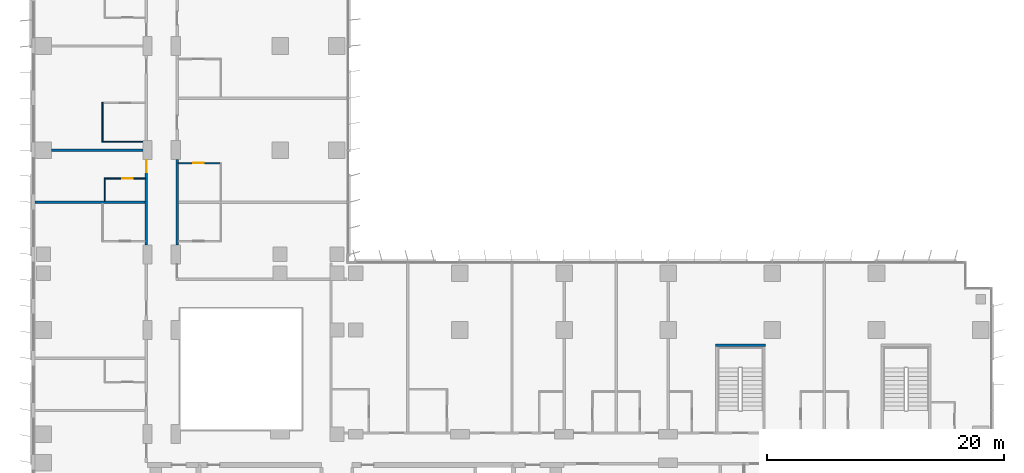
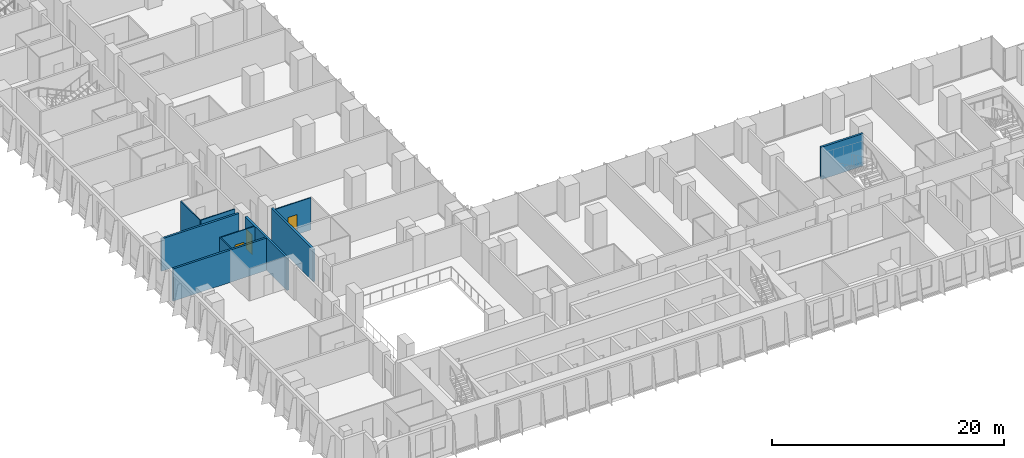
# One storey, part 15 of 24: 10 walls, 3 doors, 3 openings.
"""IFC4 building model written with IfcOpenShell, lengths in metres."""

from ifc_helpers import new_model, si_unit, direction, frame, frame_2d, origin, place, context, subcontext, project, spatial, rectangle, extrude, material, layer, layer_set, type_object, element, fill, save


model = new_model("IFC4")

# Units and contexts
model_context = context("Model", 3, precision=1e-05, world=origin(), true_north=direction((0.0, 1.0)))
body_context = subcontext(model_context, "Body", "Model", "MODEL_VIEW")
ifc_project = project(units=[si_unit("LENGTHUNIT", "METRE"), si_unit("AREAUNIT", "SQUARE_METRE"), si_unit("VOLUMEUNIT", "CUBIC_METRE"), si_unit("PLANEANGLEUNIT", "RADIAN"), si_unit("MASSUNIT", "GRAM", prefix="KILO")], contexts=[model_context])

# Site, building, storey
site_placement = place(None, origin())
site = spatial("IfcSite", under=ifc_project, at=site_placement, CompositionType="ELEMENT")
building_placement = place(site_placement, origin())
building = spatial("IfcBuilding", under=site, at=building_placement, Name="Kemantara Hotel Tower", CompositionType="ELEMENT")
storey_placement = place(building_placement, frame((0.0, 0.0, 52.5)))
storey = spatial("IfcBuildingStorey", under=building, at=storey_placement, Name="L11", CompositionType="ELEMENT", Elevation=52.5)

# Wall, opening, door
ifc_material_1 = material(Name="Gypsum board partition, steel studs and mineral wool, 200 mm", Category="steel")
ifc_layer_1 = layer(ifc_material_1, 0.199951171875)
ifc_layer_set_1 = layer_set([ifc_layer_1], Name="Gypsum board partition, steel studs and mineral wool, 200 mm")
wall_type_1 = type_object("IfcWallType", Name="CORRIDOR WALL 200", PredefinedType="PARTITIONING", material=ifc_layer_set_1)
wall_1_placement = place(storey_placement, frame((9.699951171875, 28.2001953125, 0.0), z_axis=(0.0, 0.0, 1.0), x_axis=(0.0, 1.0, 0.0)))
wall_1 = element("IfcWall", 1, at=wall_1_placement, inside=storey, type_object=wall_type_1, Name="CORRIDOR WALL 200 030", PredefinedType="PARTITIONING", context=body_context, shape_type="SweptSolid", body=[
    extrude(rectangle(XDim=7.19970703125, YDim=0.199951171875, at=frame_2d((3.599853515625, 0.0))), origin(), (0.0, 0.0, 1.0), 3.39990234375),
])
opening_1_placement = place(wall_1_placement, frame((6.14990234375, 0.0, 0.0)))
opening_1 = element("IfcOpeningElement", 2, at=opening_1_placement, cuts=wall_1, Name="Opening F03-038", PredefinedType="OPENING", context=body_context, shape_type="SweptSolid", body=[
    extrude(rectangle(XDim=1.0, YDim=2.10009765625, at=frame_2d((0.5, 1.050048828125))), frame((0.0, 0.10986328125, 0.0), z_axis=(0.0, -1.0, 0.0), x_axis=(1.0, 0.0, 0.0)), (0.0, 0.0, 1.0), 0.219970703125),
])
ifc_material_2 = material(Name="Hardwood veneer door leaf with steel frame", Category="steel")
door_type_1 = type_object("IfcDoorType", Name="GUEST ROOM DOOR 1000 X 2100 FD30S", OperationType="NOTDEFINED", PredefinedType="DOOR", material=ifc_material_2)
door_1_placement = place(opening_1_placement, origin())
door_1 = element("IfcDoor", 3, at=door_1_placement, inside=storey, type_object=door_type_1, Name="GUEST ROOM DOOR F03-038", OperationType="SINGLE_SWING_RIGHT", OverallHeight=2.10009765625, OverallWidth=1.0, PredefinedType="DOOR", context=body_context, shape_type="SweptSolid", body=[
    extrude(rectangle(XDim=1.0, YDim=2.10009765625, at=frame_2d((0.5, 1.050048828125))), frame((0.0, 0.02490234375, 0.0), z_axis=(0.0, -1.0, 0.0), x_axis=(1.0, 0.0, 0.0)), (0.0, 0.0, 1.0), 0.050048828125),
])
fill(opening_1, door_1)

# Walls
wall_2_placement = place(storey_placement, frame((12.300048828125, 28.2001953125, 0.0), z_axis=(0.0, 0.0, 1.0), x_axis=(0.0, 1.0, 0.0)))
element("IfcWall", 4, at=wall_2_placement, inside=storey, type_object=wall_type_1, Name="CORRIDOR WALL 200 047", PredefinedType="PARTITIONING", context=body_context, shape_type="SweptSolid", body=[
    extrude(rectangle(XDim=7.19970703125, YDim=0.199951171875, at=frame_2d((3.599853515625, 0.0))), origin(), (0.0, 0.0, 1.0), 3.39990234375),
])
ifc_material_3 = material(Name="Concrete fc 40 MPa", Category="concrete")
ifc_layer_2 = layer(ifc_material_3, 0.199951171875)
ifc_layer_set_2 = layer_set([ifc_layer_2], Name="Concrete fc 40 MPa")
wall_type_2 = type_object("IfcWallType", Name="Concrete stair wall 200 mm", PredefinedType="SHEAR", material=ifc_layer_set_2)
wall_3_placement = place(storey_placement, frame((57.800048828125, 19.699951171875, 0.0), z_axis=(0.0, 0.0, 1.0), x_axis=(1.0, 0.0, 0.0)))
element("IfcWall", 5, at=wall_3_placement, inside=storey, type_object=wall_type_2, Name="Stair ST3 enclosure wall N", PredefinedType="SHEAR", context=body_context, shape_type="SweptSolid", body=[
    extrude(rectangle(XDim=4.199951171875, YDim=0.199951171875, at=frame_2d((2.10009765625, 0.0))), origin(), (0.0, 0.0, 1.0), 3.39990234375),
])
ifc_layer_3 = layer(ifc_material_1, 0.199951171875)
ifc_layer_set_3 = layer_set([ifc_layer_3], Name="Gypsum board partition, steel studs and mineral wool, 200 mm")
wall_type_3 = type_object("IfcWallType", Name="GUEST ROOM PARTY WALL 200", PredefinedType="PARTITIONING", material=ifc_layer_set_3)
wall_4_placement = place(storey_placement, frame((0.31005859375, 31.800048828125, 0.0), z_axis=(0.0, 0.0, 1.0), x_axis=(1.0, 0.0, 0.0)))
element("IfcWall", 6, at=wall_4_placement, inside=storey, type_object=wall_type_3, Name="GUEST ROOM PARTY WALL 200 038", PredefinedType="PARTITIONING", context=body_context, shape_type="SweptSolid", body=[
    extrude(rectangle(XDim=9.2900390625, YDim=0.199951171875, at=frame_2d((4.64501953125, 0.0))), origin(), (0.0, 0.0, 1.0), 3.39990234375),
])
wall_5_placement = place(storey_placement, frame((1.7001953125, 36.199951171875, 0.0), z_axis=(0.0, 0.0, 1.0), x_axis=(1.0, 0.0, 0.0)))
element("IfcWall", 7, at=wall_5_placement, inside=storey, type_object=wall_type_3, Name="GUEST ROOM PARTY WALL 200 040", PredefinedType="PARTITIONING", context=body_context, shape_type="SweptSolid", body=[
    extrude(rectangle(XDim=7.69970703125, YDim=0.199951171875, at=frame_2d((3.849853515625, 0.0))), origin(), (0.0, 0.0, 1.0), 3.39990234375),
])
ifc_material_4 = material(Name="Gypsum board partition on steel studs, 100 mm", Category="steel")
ifc_layer_4 = layer(ifc_material_4, 0.10009765625)
ifc_layer_set_4 = layer_set([ifc_layer_4], Name="Gypsum board partition on steel studs, 100 mm")
wall_type_4 = type_object("IfcWallType", Name="ROOM PARTITION 100", PredefinedType="PARTITIONING", material=ifc_layer_set_4)
wall_6_placement = place(storey_placement, frame((6.199951171875, 31.89990234375, 0.0), z_axis=(0.0, 0.0, 1.0), x_axis=(0.0, 1.0, 0.0)))
element("IfcWall", 8, at=wall_6_placement, inside=storey, type_object=wall_type_4, Name="ROOM PARTITION 100 097", PredefinedType="PARTITIONING", context=body_context, shape_type="SweptSolid", body=[
    extrude(rectangle(XDim=1.9501953125, YDim=0.10009765625, at=frame_2d((0.97509765625, 0.0))), origin(), (0.0, 0.0, 1.0), 3.39990234375),
])
wall_7_placement = place(storey_placement, frame((6.0, 36.85009765625, 0.0), z_axis=(0.0, 0.0, 1.0), x_axis=(0.0, 1.0, 0.0)))
element("IfcWall", 9, at=wall_7_placement, inside=storey, type_object=wall_type_4, Name="ROOM PARTITION 100 105", PredefinedType="PARTITIONING", context=body_context, shape_type="SweptSolid", body=[
    extrude(rectangle(XDim=3.39990234375, YDim=0.10009765625, at=frame_2d((1.699951171875, 0.0))), origin(), (0.0, 0.0, 1.0), 3.39990234375),
])

# Wall, opening, door
wall_8_placement = place(storey_placement, frame((9.60009765625, 33.800048828125, 0.0), z_axis=(0.0, 0.0, 1.0), x_axis=(-1.0, 0.0, 0.0)))
wall_8 = element("IfcWall", 10, at=wall_8_placement, inside=storey, type_object=wall_type_4, Name="ROOM PARTITION 100 108", PredefinedType="PARTITIONING", context=body_context, shape_type="SweptSolid", body=[
    extrude(rectangle(XDim=3.35009765625, YDim=0.10009765625, at=frame_2d((1.675048828125, 0.0))), origin(), (0.0, 0.0, 1.0), 3.39990234375),
])
opening_2_placement = place(wall_8_placement, frame((1.050048828125, 0.0, 0.0)))
opening_2 = element("IfcOpeningElement", 11, at=opening_2_placement, cuts=wall_8, Name="Opening F03-039", PredefinedType="OPENING", context=body_context, shape_type="SweptSolid", body=[
    extrude(rectangle(XDim=0.89990234375, YDim=2.10009765625, at=frame_2d((0.449951171875, 1.050048828125))), frame((0.0, 0.06005859375, 0.0), z_axis=(0.0, -1.0, 0.0), x_axis=(1.0, 0.0, 0.0)), (0.0, 0.0, 1.0), 0.1201171875),
])
door_type_2 = type_object("IfcDoorType", Name="BATHROOM DOOR 900 X 2100", OperationType="NOTDEFINED", PredefinedType="DOOR", material=ifc_material_2)
door_2_placement = place(opening_2_placement, origin())
door_2 = element("IfcDoor", 12, at=door_2_placement, inside=storey, type_object=door_type_2, Name="BATHROOM DOOR F03-039", OperationType="SINGLE_SWING_LEFT", OverallHeight=2.10009765625, OverallWidth=0.89990234375, PredefinedType="DOOR", context=body_context, shape_type="SweptSolid", body=[
    extrude(rectangle(XDim=0.89990234375, YDim=2.10009765625, at=frame_2d((0.449951171875, 1.050048828125))), frame((0.0, 0.02490234375, 0.0), z_axis=(0.0, -1.0, 0.0), x_axis=(1.0, 0.0, 0.0)), (0.0, 0.0, 1.0), 0.050048828125),
])
fill(opening_2, door_2)

# Wall
wall_9_placement = place(storey_placement, frame((6.050048828125, 36.89990234375, 0.0), z_axis=(0.0, 0.0, 1.0), x_axis=(1.0, 0.0, 0.0)))
element("IfcWall", 13, at=wall_9_placement, inside=storey, type_object=wall_type_4, Name="ROOM PARTITION 100 109", PredefinedType="PARTITIONING", context=body_context, shape_type="SweptSolid", body=[
    extrude(rectangle(XDim=3.349853515625, YDim=0.10009765625, at=frame_2d((1.6748046875, 0.0))), origin(), (0.0, 0.0, 1.0), 3.39990234375),
])

# Wall, opening, door
wall_10_placement = place(storey_placement, frame((15.949951171875, 35.10009765625, 0.0), z_axis=(0.0, 0.0, 1.0), x_axis=(-1.0, 0.0, 0.0)))
wall_10 = element("IfcWall", 14, at=wall_10_placement, inside=storey, type_object=wall_type_4, Name="ROOM PARTITION 100 122", PredefinedType="PARTITIONING", context=body_context, shape_type="SweptSolid", body=[
    extrude(rectangle(XDim=3.550048828125, YDim=0.10009765625, at=frame_2d((1.77490234375, 0.0))), origin(), (0.0, 0.0, 1.0), 3.39990234375),
])
opening_3_placement = place(wall_10_placement, frame((1.39990234375, 0.0, 0.0)))
opening_3 = element("IfcOpeningElement", 15, at=opening_3_placement, cuts=wall_10, Name="Opening F03-057", PredefinedType="OPENING", context=body_context, shape_type="SweptSolid", body=[
    extrude(rectangle(XDim=0.89990234375, YDim=2.10009765625, at=frame_2d((0.449951171875, 1.050048828125))), frame((0.0, 0.06005859375, 0.0), z_axis=(0.0, -1.0, 0.0), x_axis=(1.0, 0.0, 0.0)), (0.0, 0.0, 1.0), 0.1201171875),
])
door_3_placement = place(opening_3_placement, origin())
door_3 = element("IfcDoor", 16, at=door_3_placement, inside=storey, type_object=door_type_2, Name="BATHROOM DOOR F03-057", OperationType="SINGLE_SWING_RIGHT", OverallHeight=2.10009765625, OverallWidth=0.89990234375, PredefinedType="DOOR", context=body_context, shape_type="SweptSolid", body=[
    extrude(rectangle(XDim=0.89990234375, YDim=2.10009765625, at=frame_2d((0.449951171875, 1.050048828125))), frame((0.0, 0.02490234375, 0.0), z_axis=(0.0, -1.0, 0.0), x_axis=(1.0, 0.0, 0.0)), (0.0, 0.0, 1.0), 0.050048828125),
])
fill(opening_3, door_3)

save(model, "model.ifc")
